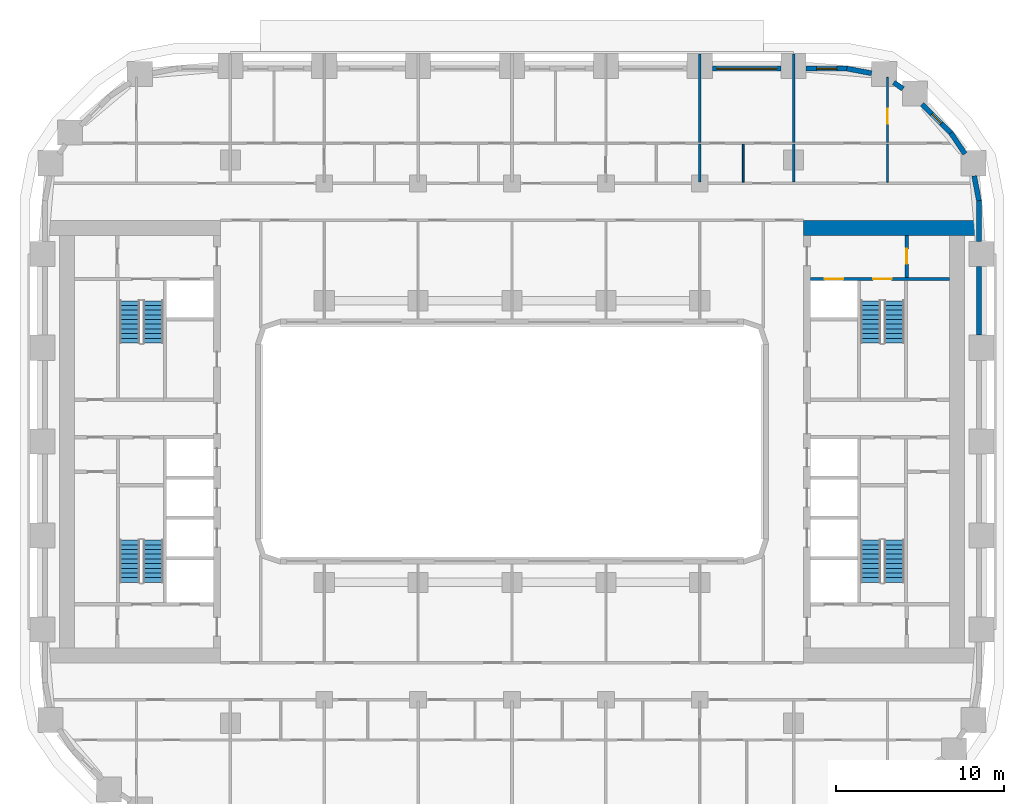
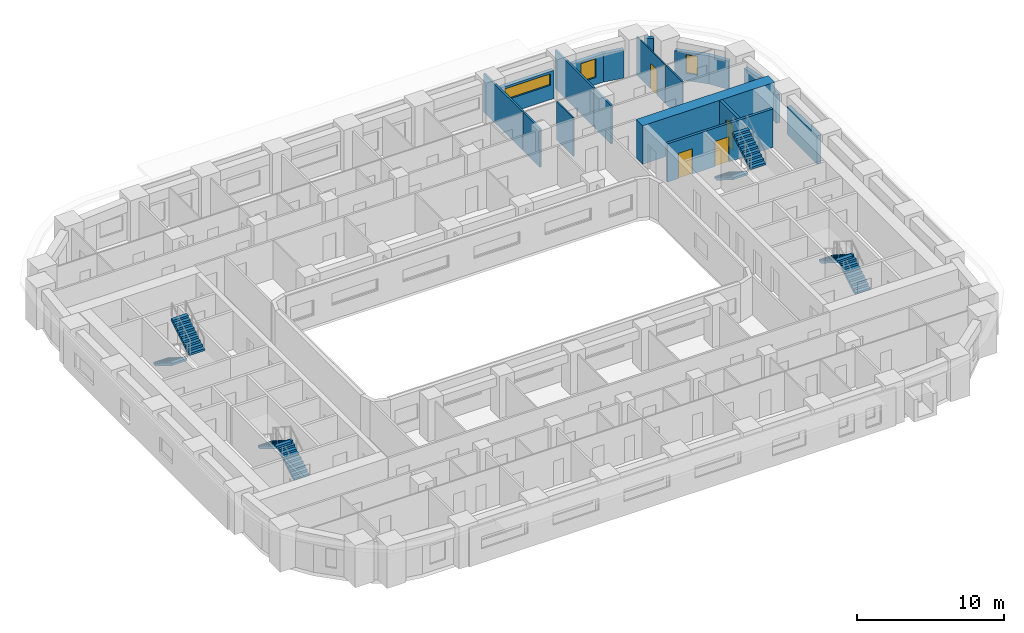
# One storey, part 9 of 21: 19 walls, 8 stair flights, 4 doors, 3 windows, 7 openings, 4 elements without a shape of their own.
"""IFC4 building model written with IfcOpenShell, lengths in metres."""

from ifc_helpers import new_model, si_unit, direction, frame, frame_2d, origin, place, context, subcontext, project, spatial, polyline, rectangle, outline, extrude, material, layer, layer_set, type_object, element, fill, aggregate, save


model = new_model("IFC4")

# Units and contexts
model_context = context("Model", 3, precision=1e-05, world=origin(), true_north=direction((0.0, 1.0)))
body_context = subcontext(model_context, "Body", "Model", "MODEL_VIEW")
ifc_project = project(units=[si_unit("LENGTHUNIT", "METRE"), si_unit("AREAUNIT", "SQUARE_METRE"), si_unit("VOLUMEUNIT", "CUBIC_METRE"), si_unit("PLANEANGLEUNIT", "RADIAN"), si_unit("MASSUNIT", "GRAM", prefix="KILO")], contexts=[model_context])

# Site, building, storey
site_placement = place(None, origin())
site = spatial("IfcSite", under=ifc_project, at=site_placement, CompositionType="ELEMENT")
building_placement = place(site_placement, origin())
building = spatial("IfcBuilding", under=site, at=building_placement, Name="Kiln Ring Residences", CompositionType="ELEMENT")
storey_placement = place(building_placement, frame((0.0, 0.0, 34.0)))
storey = spatial("IfcBuildingStorey", under=building, at=storey_placement, Name="L07", CompositionType="ELEMENT", Elevation=34.0)

# Wall, opening, door
ifc_material_1 = material(Name="Gypsum board on steel studs", Category="steel")
ifc_layer_1 = layer(ifc_material_1, 0.199951171875)
ifc_layer_set_1 = layer_set([ifc_layer_1], Name="CORE-PARTITION-200")
wall_type_1 = type_object("IfcWallType", Name="CORE-PARTITION-200", PredefinedType="PARTITIONING", material=ifc_layer_set_1)
wall_1_placement = place(storey_placement, frame((23.550048828125, 9.800048828125, 0.0), z_axis=(0.0, 0.0, 1.0), x_axis=(0.0, 1.0, 0.0)))
wall_1 = element("IfcWall", 1, at=wall_1_placement, inside=storey, type_object=wall_type_1, Name="Core partition east L07 3", PredefinedType="PARTITIONING", context=body_context, shape_type="SweptSolid", body=[
    extrude(rectangle(XDim=2.5, YDim=0.199951171875, at=frame_2d((1.25, 0.0))), origin(), (0.0, 0.0, 1.0), 3.199951171875),
])
opening_1_placement = place(wall_1_placement, frame((0.800048828125, 0.0, 0.0)))
opening_1 = element("IfcOpeningElement", 2, at=opening_1_placement, cuts=wall_1, Name="Opening L07-CE09", PredefinedType="OPENING", context=body_context, shape_type="SweptSolid", body=[
    extrude(rectangle(XDim=0.89990234375, YDim=2.10009765625, at=frame_2d((0.449951171875, 1.050048828125))), frame((0.0, 0.10986328125, 0.0), z_axis=(0.0, -1.0, 0.0), x_axis=(1.0, 0.0, 0.0)), (0.0, 0.0, 1.0), 0.219970703125),
])
ifc_material_2 = material(Name="Steel door leaf", Category="steel")
door_type_1 = type_object("IfcDoorType", Name="CORE-DOOR-ROOM", OperationType="SINGLE_SWING_LEFT", PredefinedType="DOOR", material=ifc_material_2)
door_1_placement = place(opening_1_placement, origin())
door_1 = element("IfcDoor", 3, at=door_1_placement, inside=storey, type_object=door_type_1, Name="Fire riser room L07-CE09", OperationType="SINGLE_SWING_RIGHT", OverallHeight=2.10009765625, OverallWidth=0.89990234375, PredefinedType="DOOR", context=body_context, shape_type="SweptSolid", body=[
    extrude(rectangle(XDim=0.89990234375, YDim=2.10009765625, at=frame_2d((0.449951171875, 1.050048828125))), frame((0.0, 0.02490234375, 0.0), z_axis=(0.0, -1.0, 0.0), x_axis=(1.0, 0.0, 0.0)), (0.0, 0.0, 1.0), 0.050048828125),
])
fill(opening_1, door_1)

# Wall, openings, doors
ifc_material_3 = material(Name="Concrete C40/50", Category="concrete")
ifc_layer_2 = layer(ifc_material_3, 0.199951171875)
ifc_layer_set_2 = layer_set([ifc_layer_2], Name="CORE-WALL-RC200")
wall_type_2 = type_object("IfcWallType", Name="CORE-WALL-RC200", PredefinedType="SHEAR", material=ifc_layer_set_2)
wall_2_placement = place(storey_placement, frame((17.800048828125, 9.699951171875, 0.0), z_axis=(0.0, 0.0, 1.0), x_axis=(1.0, 0.0, 0.0)))
wall_2 = element("IfcWall", 4, at=wall_2_placement, inside=storey, type_object=wall_type_2, Name="Core wall east L07 9", PredefinedType="SHEAR", context=body_context, shape_type="SweptSolid", body=[
    extrude(rectangle(XDim=8.300048828125, YDim=0.199951171875, at=frame_2d((4.14990234375, 0.0))), origin(), (0.0, 0.0, 1.0), 3.199951171875),
])
opening_2_placement = place(wall_2_placement, frame((0.85009765625, 0.0, 0.0)))
opening_2 = element("IfcOpeningElement", 5, at=opening_2_placement, cuts=wall_2, Name="Opening L07-CE06", PredefinedType="OPENING", context=body_context, shape_type="SweptSolid", body=[
    extrude(rectangle(XDim=1.10009765625, YDim=2.10009765625, at=frame_2d((0.550048828125, 1.050048828125))), frame((0.0, 0.10986328125, 0.0), z_axis=(0.0, -1.0, 0.0), x_axis=(1.0, 0.0, 0.0)), (0.0, 0.0, 1.0), 0.219970703125),
])
opening_3_placement = place(wall_2_placement, frame((3.75, 0.0, 0.0)))
opening_3 = element("IfcOpeningElement", 6, at=opening_3_placement, cuts=wall_2, Name="Opening L07-CE11", PredefinedType="OPENING", context=body_context, shape_type="SweptSolid", body=[
    extrude(rectangle(XDim=1.10009765625, YDim=2.10009765625, at=frame_2d((0.550048828125, 1.050048828125))), frame((0.0, 0.10986328125, 0.0), z_axis=(0.0, -1.0, 0.0), x_axis=(1.0, 0.0, 0.0)), (0.0, 0.0, 1.0), 0.219970703125),
])
ifc_material_4 = material(Name="Steel door leaf", Category="steel")
door_type_2 = type_object("IfcDoorType", Name="CORE-DOOR-LD", OperationType="DOUBLE_DOOR_SLIDING", PredefinedType="DOOR", material=ifc_material_4)
door_2_placement = place(opening_2_placement, origin())
door_2 = element("IfcDoor", 7, at=door_2_placement, inside=storey, type_object=door_type_2, Name="LD E-FF L07-CE06", OperationType="DOUBLE_DOOR_SLIDING", OverallHeight=2.10009765625, OverallWidth=1.10009765625, PredefinedType="DOOR", context=body_context, shape_type="SweptSolid", body=[
    extrude(rectangle(XDim=1.10009765625, YDim=2.10009765625, at=frame_2d((0.550048828125, 1.050048828125))), frame((0.0, 0.02490234375, 0.0), z_axis=(0.0, -1.0, 0.0), x_axis=(1.0, 0.0, 0.0)), (0.0, 0.0, 1.0), 0.050048828125),
])
fill(opening_2, door_2)
ifc_material_5 = material(Name="Steel door leaf", Category="steel")
door_type_3 = type_object("IfcDoorType", Name="CORE-DOOR-STAIR", OperationType="SINGLE_SWING_LEFT", PredefinedType="DOOR", material=ifc_material_5)
door_3_placement = place(opening_3_placement, origin())
door_3 = element("IfcDoor", 8, at=door_3_placement, inside=storey, type_object=door_type_3, Name="Stair E-STN L07-CE11", OperationType="SINGLE_SWING_RIGHT", OverallHeight=2.10009765625, OverallWidth=1.10009765625, PredefinedType="DOOR", context=body_context, shape_type="SweptSolid", body=[
    extrude(rectangle(XDim=1.10009765625, YDim=2.10009765625, at=frame_2d((0.550048828125, 1.050048828125))), frame((0.0, 0.02490234375, 0.0), z_axis=(0.0, -1.0, 0.0), x_axis=(1.0, 0.0, 0.0)), (0.0, 0.0, 1.0), 0.050048828125),
])
fill(opening_3, door_3)

# Walls
ifc_material_6 = material(Name="Concrete C60/75", Category="concrete")
ifc_layer_3 = layer(ifc_material_6, 0.89990234375)
ifc_layer_set_3 = layer_set([ifc_layer_3], Name="CORE-WALL-RC900")
wall_type_3 = type_object("IfcWallType", Name="CORE-WALL-RC900", PredefinedType="SHEAR", material=ifc_layer_set_3)
wall_3_placement = place(storey_placement, frame((17.39990234375, 12.75, 0.0), z_axis=(0.0, 0.0, 1.0), x_axis=(1.0, 0.0, 0.0)))
element("IfcWall", 9, at=wall_3_placement, inside=storey, type_object=wall_type_3, Name="Core wall east L07 4", PredefinedType="SHEAR", context=body_context, shape_type="SweptSolid", body=[
    extrude(rectangle(XDim=10.400146484375, YDim=0.89990234375, at=frame_2d((5.2001953125, 0.0))), origin(), (0.0, 0.0, 1.0), 3.199951171875),
])
ifc_material_7 = material(Name="Brick masonry, dark clay brick", Category="masonry")
ifc_layer_4 = layer(ifc_material_7, 0.300048828125)
ifc_layer_set_4 = layer_set([ifc_layer_4], Name="EW-300 BRICK WALL")
wall_type_4 = type_object("IfcWallType", Name="EW-300 BRICK WALL", PredefinedType="SOLIDWALL", material=ifc_layer_set_4)
wall_4_placement = place(storey_placement, frame((27.85009765625, 6.35009765625, 0.0), z_axis=(0.0, 0.0, 1.0), x_axis=(0.0, 1.0, 0.0)))
element("IfcWall", 10, at=wall_4_placement, inside=storey, type_object=wall_type_4, Name="Facade wall L07 21", PredefinedType="SOLIDWALL", context=body_context, shape_type="SweptSolid", body=[
    extrude(rectangle(XDim=4.099853515625, YDim=0.300048828125, at=frame_2d((2.0498046875, 0.0))), origin(), (0.0, 0.0, 1.0), 2.35009765625),
])
wall_5_placement = place(storey_placement, frame((27.85009765625, 11.949951171875, 0.0), z_axis=(0.0, 0.0, 1.0), x_axis=(0.0, 1.0, 0.0)))
element("IfcWall", 11, at=wall_5_placement, inside=storey, type_object=wall_type_4, Name="Facade wall L07 22", PredefinedType="SOLIDWALL", context=body_context, shape_type="SweptSolid", body=[
    extrude(rectangle(XDim=2.449951171875, YDim=0.300048828125, at=frame_2d((1.22509765625, 0.0))), origin(), (0.0, 0.0, 1.0), 2.35009765625),
])
for number, where, z_axis, x_axis, name in (
    (12, (27.8525390625, 14.371826171875, 0.0), (0.0, 0.0, 1.0), (-0.187223837635, 0.982317277982, 0.0), "Facade wall L07 23"),
    (13, (27.025390625, 17.1669921875, 0.0), (0.0, 0.0, 1.0), (-0.561973021955, 0.827155561303, 0.0), "Facade wall L07 24"),
):
    element("IfcWall", number, at=place(storey_placement, frame(where, z_axis=z_axis, x_axis=x_axis)), inside=storey, type_object=wall_type_4, Name=name, PredefinedType="SOLIDWALL", context=body_context, shape_type="SweptSolid", body=[
        extrude(rectangle(XDim=1.506103515625, YDim=0.300048828125, at=frame_2d((0.7529296875, 0.0))), origin(), (0.0, 0.0, 1.0), 2.35009765625),
    ])

# Wall, opening, window
wall_6_placement = place(storey_placement, frame((26.19677734375, 18.390869140625, 0.0), z_axis=(0.0, 0.0, 1.0), x_axis=(-0.707106781187, 0.707106781187, 0.0)))
wall_6 = element("IfcWall", 14, at=wall_6_placement, inside=storey, type_object=wall_type_4, Name="Facade wall L07 25", PredefinedType="SOLIDWALL", context=body_context, shape_type="SweptSolid", body=[
    extrude(rectangle(XDim=2.449951171875, YDim=0.300048828125, at=frame_2d((1.22509765625, 0.0))), origin(), (0.0, 0.0, 1.0), 2.35009765625),
])
opening_4_placement = place(wall_6_placement, frame((0.824951171875, 0.0, 0.60009765625)))
opening_4 = element("IfcOpeningElement", 15, at=opening_4_placement, cuts=wall_6, Name="Opening W5", PredefinedType="OPENING", context=body_context, shape_type="SweptSolid", body=[
    extrude(rectangle(XDim=0.800048828125, YDim=1.550048828125, at=frame_2d((0.39990234375, 0.77490234375))), frame((0.0, 0.159912109375, 0.0), z_axis=(0.0, -1.0, 0.0), x_axis=(1.0, 0.0, 0.0)), (0.0, 0.0, 1.0), 0.320068359375),
])
ifc_material_8 = material(Name="Aluminium frame with double glazing", Category="aluminium")
window_type_1 = type_object("IfcWindowType", Name="WINDOW 800 x 1550", PartitioningType="SINGLE_PANEL", PredefinedType="WINDOW", material=ifc_material_8)
window_1_placement = place(opening_4_placement, origin())
window_1 = element("IfcWindow", 16, at=window_1_placement, inside=storey, type_object=window_type_1, Name="Window L07 12", OverallHeight=1.550048828125, OverallWidth=0.800048828125, PartitioningType="SINGLE_PANEL", PredefinedType="WINDOW", context=body_context, shape_type="SweptSolid", body=[
    extrude(rectangle(XDim=0.800048828125, YDim=1.550048828125, at=frame_2d((0.39990234375, 0.77490234375))), frame((0.0, 0.030029296875, 0.0), z_axis=(0.0, -1.0, 0.0), x_axis=(1.0, 0.0, 0.0)), (0.0, 0.0, 1.0), 0.06005859375),
])
fill(opening_4, window_1)

# Walls
wall_7_placement = place(storey_placement, frame((23.3271484375, 21.044921875, 0.0), z_axis=(0.0, 0.0, 1.0), x_axis=(-0.827080706709, 0.562083182981, 0.0)))
element("IfcWall", 17, at=wall_7_placement, inside=storey, type_object=wall_type_4, Name="Facade wall L07 26", PredefinedType="SOLIDWALL", context=body_context, shape_type="SweptSolid", body=[
    extrude(rectangle(XDim=0.67724609375, YDim=0.300048828125, at=frame_2d((0.338623046875, 0.0))), origin(), (0.0, 0.0, 1.0), 3.199951171875),
])
wall_8_placement = place(storey_placement, frame((21.451416015625, 21.970458984375, 0.0), z_axis=(0.0, 0.0, 1.0), x_axis=(-0.982287454367, 0.187380247071, 0.0)))
element("IfcWall", 18, at=wall_8_placement, inside=storey, type_object=wall_type_4, Name="Facade wall L07 27", PredefinedType="SOLIDWALL", context=body_context, shape_type="SweptSolid", body=[
    extrude(rectangle(XDim=1.506103515625, YDim=0.300048828125, at=frame_2d((0.7529296875, 0.0))), origin(), (0.0, 0.0, 1.0), 2.35009765625),
])

# Wall, opening, window
wall_9_placement = place(storey_placement, frame((20.0, 22.25, 0.0), z_axis=(0.0, 0.0, 1.0), x_axis=(-1.0, 0.0, 0.0)))
wall_9 = element("IfcWall", 19, at=wall_9_placement, inside=storey, type_object=wall_type_4, Name="Facade wall L07 28", PredefinedType="SOLIDWALL", context=body_context, shape_type="SweptSolid", body=[
    extrude(rectangle(XDim=2.449951171875, YDim=0.300048828125, at=frame_2d((1.22509765625, 0.0))), origin(), (0.0, 0.0, 1.0), 2.35009765625),
])
opening_5_placement = place(wall_9_placement, frame((0.625, 0.0, 0.60009765625)))
opening_5 = element("IfcOpeningElement", 20, at=opening_5_placement, cuts=wall_9, Name="Opening W1", PredefinedType="OPENING", context=body_context, shape_type="SweptSolid", body=[
    extrude(rectangle(XDim=1.199951171875, YDim=1.550048828125, at=frame_2d((0.60009765625, 0.77490234375))), frame((0.0, 0.159912109375, 0.0), z_axis=(0.0, -1.0, 0.0), x_axis=(1.0, 0.0, 0.0)), (0.0, 0.0, 1.0), 0.320068359375),
])
ifc_material_9 = material(Name="Aluminium frame with double glazing", Category="aluminium")
window_type_2 = type_object("IfcWindowType", Name="WINDOW 1200 x 1550", PartitioningType="SINGLE_PANEL", PredefinedType="WINDOW", material=ifc_material_9)
window_2_placement = place(opening_5_placement, origin())
window_2 = element("IfcWindow", 21, at=window_2_placement, inside=storey, type_object=window_type_2, Name="Window L07 13", OverallHeight=1.550048828125, OverallWidth=1.199951171875, PartitioningType="SINGLE_PANEL", PredefinedType="WINDOW", context=body_context, shape_type="SweptSolid", body=[
    extrude(rectangle(XDim=1.199951171875, YDim=1.550048828125, at=frame_2d((0.60009765625, 0.77490234375))), frame((0.0, 0.030029296875, 0.0), z_axis=(0.0, -1.0, 0.0), x_axis=(1.0, 0.0, 0.0)), (0.0, 0.0, 1.0), 0.06005859375),
])
fill(opening_5, window_2)

wall_10_placement = place(storey_placement, frame((16.050048828125, 22.25, 0.0), z_axis=(0.0, 0.0, 1.0), x_axis=(-1.0, 0.0, 0.0)))
wall_10 = element("IfcWall", 22, at=wall_10_placement, inside=storey, type_object=wall_type_4, Name="Facade wall L07 29", PredefinedType="SOLIDWALL", context=body_context, shape_type="SweptSolid", body=[
    extrude(rectangle(XDim=4.10009765625, YDim=0.300048828125, at=frame_2d((2.050048828125, 0.0))), origin(), (0.0, 0.0, 1.0), 2.35009765625),
])
opening_6_placement = place(wall_10_placement, frame((0.25, 0.0, 1.199951171875)))
opening_6 = element("IfcOpeningElement", 23, at=opening_6_placement, cuts=wall_10, Name="Opening W4", PredefinedType="OPENING", context=body_context, shape_type="SweptSolid", body=[
    extrude(rectangle(XDim=3.60009765625, YDim=0.949951171875, at=frame_2d((1.800048828125, 0.47509765625))), frame((0.0, 0.159912109375, 0.0), z_axis=(0.0, -1.0, 0.0), x_axis=(1.0, 0.0, 0.0)), (0.0, 0.0, 1.0), 0.320068359375),
])
ifc_material_10 = material(Name="Aluminium frame with double glazing", Category="aluminium")
window_type_3 = type_object("IfcWindowType", Name="WINDOW 3600 x 950", PartitioningType="SINGLE_PANEL", PredefinedType="WINDOW", material=ifc_material_10)
window_3_placement = place(opening_6_placement, origin())
window_3 = element("IfcWindow", 24, at=window_3_placement, inside=storey, type_object=window_type_3, Name="Window L07 14", OverallHeight=0.949951171875, OverallWidth=3.60009765625, PartitioningType="SINGLE_PANEL", PredefinedType="WINDOW", context=body_context, shape_type="SweptSolid", body=[
    extrude(rectangle(XDim=3.60009765625, YDim=0.949951171875, at=frame_2d((1.800048828125, 0.47509765625))), frame((0.0, 0.030029296875, 0.0), z_axis=(0.0, -1.0, 0.0), x_axis=(1.0, 0.0, 0.0)), (0.0, 0.0, 1.0), 0.06005859375),
])
fill(opening_6, window_3)

# Walls
ifc_material_11 = material(Name="Gypsum board on steel studs", Category="steel")
ifc_layer_5 = layer(ifc_material_11, 0.10009765625)
ifc_layer_set_5 = layer_set([ifc_layer_5], Name="PARTITION-100")
wall_type_5 = type_object("IfcWallType", Name="PARTITION-100", PredefinedType="PARTITIONING", material=ifc_layer_set_5)
for number, where, z_axis, x_axis, name in (
    (25, (13.800048828125, 15.47509765625, 0.0), (0.0, 0.0, 1.0), (0.0, 1.0, 0.0), "Partition 056"),
    (26, (22.39990234375, 15.47509765625, 0.0), (0.0, 0.0, 1.0), (0.0, 1.0, 0.0), "Partition 066"),
):
    element("IfcWall", number, at=place(storey_placement, frame(where, z_axis=z_axis, x_axis=x_axis)), inside=storey, type_object=wall_type_5, Name=name, PredefinedType="PARTITIONING", context=body_context, shape_type="SweptSolid", body=[
        extrude(rectangle(XDim=2.27490234375, YDim=0.10009765625, at=frame_2d((1.137451171875, 0.0))), origin(), (0.0, 0.0, 1.0), 3.199951171875),
    ])

# Wall, opening, door
wall_11_placement = place(storey_placement, frame((22.39990234375, 17.85009765625, 0.0), z_axis=(0.0, 0.0, 1.0), x_axis=(0.0, 1.0, 0.0)))
wall_11 = element("IfcWall", 27, at=wall_11_placement, inside=storey, type_object=wall_type_5, Name="Partition 067", PredefinedType="PARTITIONING", context=body_context, shape_type="SweptSolid", body=[
    extrude(rectangle(XDim=3.869873046875, YDim=0.10009765625, at=frame_2d((1.93505859375, 0.0))), origin(), (0.0, 0.0, 1.0), 3.199951171875),
])
opening_7_placement = place(wall_11_placement, frame((1.10009765625, 0.0, 0.0)))
opening_7 = element("IfcOpeningElement", 28, at=opening_7_placement, cuts=wall_11, Name="Opening L07-D036", PredefinedType="OPENING", context=body_context, shape_type="SweptSolid", body=[
    extrude(rectangle(XDim=0.89990234375, YDim=2.10009765625, at=frame_2d((0.449951171875, 1.050048828125))), frame((0.0, 0.06005859375, 0.0), z_axis=(0.0, -1.0, 0.0), x_axis=(1.0, 0.0, 0.0)), (0.0, 0.0, 1.0), 0.1201171875),
])
ifc_material_12 = material(Name="Timber door leaf", Category="wood")
door_type_4 = type_object("IfcDoorType", Name="FLAT-DOOR-900-PL", OperationType="SINGLE_SWING_LEFT", PredefinedType="DOOR", material=ifc_material_12)
door_4_placement = place(opening_7_placement, origin())
door_4 = element("IfcDoor", 29, at=door_4_placement, inside=storey, type_object=door_type_4, Name="Door L07-D036", OperationType="SINGLE_SWING_LEFT", OverallHeight=2.10009765625, OverallWidth=0.89990234375, PredefinedType="DOOR", context=body_context, shape_type="SweptSolid", body=[
    extrude(rectangle(XDim=0.89990234375, YDim=2.10009765625, at=frame_2d((0.449951171875, 1.050048828125))), frame((0.0, 0.02490234375, 0.0), z_axis=(0.0, -1.0, 0.0), x_axis=(1.0, 0.0, 0.0)), (0.0, 0.0, 1.0), 0.050048828125),
])
fill(opening_7, door_4)

# Walls
ifc_material_13 = material(Name="Brick masonry partition", Category="masonry")
ifc_layer_6 = layer(ifc_material_13, 0.14990234375)
ifc_layer_set_6 = layer_set([ifc_layer_6], Name="PARTITION-150-ei60")
wall_type_6 = type_object("IfcWallType", Name="PARTITION-150-ei60", PredefinedType="PARTITIONING", material=ifc_layer_set_6)
wall_12_placement = place(storey_placement, frame((11.199951171875, 15.47509765625, 0.0), z_axis=(0.0, 0.0, 1.0), x_axis=(0.0, 1.0, 0.0)))
element("IfcWall", 30, at=wall_12_placement, inside=storey, type_object=wall_type_6, Name="Partition 054", PredefinedType="PARTITIONING", context=body_context, shape_type="SweptSolid", body=[
    extrude(rectangle(XDim=2.27490234375, YDim=0.14990234375, at=frame_2d((1.137451171875, 0.0))), origin(), (0.0, 0.0, 1.0), 3.199951171875),
])
wall_13_placement = place(storey_placement, frame((11.199951171875, 17.85009765625, 0.0), z_axis=(0.0, 0.0, 1.0), x_axis=(0.0, 1.0, 0.0)))
element("IfcWall", 31, at=wall_13_placement, inside=storey, type_object=wall_type_6, Name="Partition 055", PredefinedType="PARTITIONING", context=body_context, shape_type="SweptSolid", body=[
    extrude(rectangle(XDim=5.27978515625, YDim=0.14990234375, at=frame_2d((2.639892578125, 0.0))), origin(), (0.0, 0.0, 1.0), 3.199951171875),
])
wall_14_placement = place(storey_placement, frame((16.800048828125, 15.47509765625, 0.0), z_axis=(0.0, 0.0, 1.0), x_axis=(0.0, 1.0, 0.0)))
element("IfcWall", 32, at=wall_14_placement, inside=storey, type_object=wall_type_6, Name="Partition 062", PredefinedType="PARTITIONING", context=body_context, shape_type="SweptSolid", body=[
    extrude(rectangle(XDim=2.27490234375, YDim=0.14990234375, at=frame_2d((1.137451171875, 0.0))), origin(), (0.0, 0.0, 1.0), 3.199951171875),
])
wall_15_placement = place(storey_placement, frame((16.800048828125, 17.85009765625, 0.0), z_axis=(0.0, 0.0, 1.0), x_axis=(0.0, 1.0, 0.0)))
element("IfcWall", 33, at=wall_15_placement, inside=storey, type_object=wall_type_6, Name="Partition 063", PredefinedType="PARTITIONING", context=body_context, shape_type="SweptSolid", body=[
    extrude(rectangle(XDim=5.27978515625, YDim=0.14990234375, at=frame_2d((2.639892578125, 0.0))), origin(), (0.0, 0.0, 1.0), 3.199951171875),
])

# Stair, stair flights
ifc_material_14 = material(Name="Concrete C40/50", Category="concrete")
stair_type = type_object("IfcStairType", Name="CORE-STAIR", PredefinedType="HALF_TURN_STAIR", material=ifc_material_14)
placement = place(storey_placement, origin())
stair_1 = element("IfcStair", 34, at=placement, inside=storey, type_object=stair_type, Name="L07 stair W-STN", PredefinedType="HALF_TURN_STAIR")
ifc_material_15 = material(Name="Concrete C40/50", Category="concrete")
stair_flight_type = type_object("IfcStairFlightType", Name="CORE-STAIR-FLIGHT", PredefinedType="STRAIGHT", material=ifc_material_15)
stair_flight_1_placement = place(storey_placement, frame((-22.800048828125, 8.39990234375, 0.0), z_axis=(0.0, 0.0, 1.0), x_axis=(0.0, -1.0, 0.0)))
stair_flight_1 = element("IfcStairFlight", 35, at=stair_flight_1_placement, type_object=stair_flight_type, Name="W-STN flight 1", NumberOfRisers=10, NumberOfTreads=9, PredefinedType="STRAIGHT", RiserHeight=0.175, TreadLength=0.28, context=body_context, shape_type="SweptSolid", body=[
    extrude(outline(polyline([(0.0, 0.0), (0.0, 0.175048828125), (0.280029296875, 0.175048828125), (0.280029296875, 0.35009765625), (0.56005859375, 0.35009765625), (0.56005859375, 0.52490234375), (0.840087890625, 0.52490234375), (0.840087890625, 0.699951171875), (1.1201171875, 0.699951171875), (1.1201171875, 0.875), (1.39990234375, 0.875), (1.39990234375, 1.050048828125), (1.679931640625, 1.050048828125), (1.679931640625, 1.22509765625), (1.9599609375, 1.22509765625), (1.9599609375, 1.39990234375), (2.239990234375, 1.39990234375), (2.239990234375, 1.574951171875), (2.52001953125, 1.574951171875), (2.52001953125, 1.75), (2.52001953125, 1.398193359375), (0.28271484375, 0.0), (0.0, 0.0)])), frame((0.0, 0.60009765625, 0.0), z_axis=(0.0, -1.0, 0.0), x_axis=(1.0, 0.0, 0.0)), (0.0, 0.0, 1.0), 1.199951171875),
])
stair_flight_2_placement = place(storey_placement, frame((-21.39990234375, 5.8798828125, 1.75), z_axis=(0.0, 0.0, 1.0), x_axis=(0.0, 1.0, 0.0)))
stair_flight_2 = element("IfcStairFlight", 36, at=stair_flight_2_placement, type_object=stair_flight_type, Name="W-STN flight 2", NumberOfRisers=10, NumberOfTreads=9, PredefinedType="STRAIGHT", RiserHeight=0.175, TreadLength=0.28, context=body_context, shape_type="SweptSolid", body=[
    extrude(outline(polyline([(0.0, 0.0), (0.0, 0.175048828125), (0.280029296875, 0.175048828125), (0.280029296875, 0.35009765625), (0.56005859375, 0.35009765625), (0.56005859375, 0.52490234375), (0.840087890625, 0.52490234375), (0.840087890625, 0.699951171875), (1.1201171875, 0.699951171875), (1.1201171875, 0.875), (1.39990234375, 0.875), (1.39990234375, 1.050048828125), (1.679931640625, 1.050048828125), (1.679931640625, 1.22509765625), (1.9599609375, 1.22509765625), (1.9599609375, 1.39990234375), (2.239990234375, 1.39990234375), (2.239990234375, 1.574951171875), (2.52001953125, 1.574951171875), (2.52001953125, 1.75), (2.52001953125, 1.398193359375), (0.28271484375, 0.0), (0.0, 0.0)])), frame((0.0, 0.60009765625, 0.0), z_axis=(0.0, -1.0, 0.0), x_axis=(1.0, 0.0, 0.0)), (0.0, 0.0, 1.0), 1.199951171875),
])
aggregate(stair_1, [stair_flight_1, stair_flight_2])

stair_2 = element("IfcStair", 37, at=placement, inside=storey, type_object=stair_type, Name="L07 stair W-STS", PredefinedType="HALF_TURN_STAIR")
stair_flight_3_placement = place(storey_placement, frame((-21.39990234375, -8.39990234375, 0.0), z_axis=(0.0, 0.0, 1.0), x_axis=(0.0, 1.0, 0.0)))
stair_flight_3 = element("IfcStairFlight", 38, at=stair_flight_3_placement, type_object=stair_flight_type, Name="W-STS flight 1", NumberOfRisers=10, NumberOfTreads=9, PredefinedType="STRAIGHT", RiserHeight=0.175, TreadLength=0.28, context=body_context, shape_type="SweptSolid", body=[
    extrude(outline(polyline([(0.0, 0.0), (0.0, 0.175048828125), (0.280029296875, 0.175048828125), (0.280029296875, 0.35009765625), (0.56005859375, 0.35009765625), (0.56005859375, 0.52490234375), (0.840087890625, 0.52490234375), (0.840087890625, 0.699951171875), (1.1201171875, 0.699951171875), (1.1201171875, 0.875), (1.39990234375, 0.875), (1.39990234375, 1.050048828125), (1.679931640625, 1.050048828125), (1.679931640625, 1.22509765625), (1.9599609375, 1.22509765625), (1.9599609375, 1.39990234375), (2.239990234375, 1.39990234375), (2.239990234375, 1.574951171875), (2.52001953125, 1.574951171875), (2.52001953125, 1.75), (2.52001953125, 1.398193359375), (0.28271484375, 0.0), (0.0, 0.0)])), frame((0.0, 0.60009765625, 0.0), z_axis=(0.0, -1.0, 0.0), x_axis=(1.0, 0.0, 0.0)), (0.0, 0.0, 1.0), 1.199951171875),
])
stair_flight_4_placement = place(storey_placement, frame((-22.800048828125, -5.8798828125, 1.75), z_axis=(0.0, 0.0, 1.0), x_axis=(0.0, -1.0, 0.0)))
stair_flight_4 = element("IfcStairFlight", 39, at=stair_flight_4_placement, type_object=stair_flight_type, Name="W-STS flight 2", NumberOfRisers=10, NumberOfTreads=9, PredefinedType="STRAIGHT", RiserHeight=0.175, TreadLength=0.28, context=body_context, shape_type="SweptSolid", body=[
    extrude(outline(polyline([(0.0, 0.0), (0.0, 0.175048828125), (0.280029296875, 0.175048828125), (0.280029296875, 0.35009765625), (0.56005859375, 0.35009765625), (0.56005859375, 0.52490234375), (0.840087890625, 0.52490234375), (0.840087890625, 0.699951171875), (1.1201171875, 0.699951171875), (1.1201171875, 0.875), (1.39990234375, 0.875), (1.39990234375, 1.050048828125), (1.679931640625, 1.050048828125), (1.679931640625, 1.22509765625), (1.9599609375, 1.22509765625), (1.9599609375, 1.39990234375), (2.239990234375, 1.39990234375), (2.239990234375, 1.574951171875), (2.52001953125, 1.574951171875), (2.52001953125, 1.75), (2.52001953125, 1.398193359375), (0.28271484375, 0.0), (0.0, 0.0)])), frame((0.0, 0.60009765625, 0.0), z_axis=(0.0, -1.0, 0.0), x_axis=(1.0, 0.0, 0.0)), (0.0, 0.0, 1.0), 1.199951171875),
])
aggregate(stair_2, [stair_flight_3, stair_flight_4])

stair_3 = element("IfcStair", 40, at=placement, inside=storey, type_object=stair_type, Name="L07 stair E-STN", PredefinedType="HALF_TURN_STAIR")
stair_flight_5_placement = place(storey_placement, frame((21.39990234375, 8.39990234375, 0.0), z_axis=(0.0, 0.0, 1.0), x_axis=(0.0, -1.0, 0.0)))
stair_flight_5 = element("IfcStairFlight", 41, at=stair_flight_5_placement, type_object=stair_flight_type, Name="E-STN flight 1", NumberOfRisers=10, NumberOfTreads=9, PredefinedType="STRAIGHT", RiserHeight=0.175, TreadLength=0.28, context=body_context, shape_type="SweptSolid", body=[
    extrude(outline(polyline([(0.0, 0.0), (0.0, 0.175048828125), (0.280029296875, 0.175048828125), (0.280029296875, 0.35009765625), (0.56005859375, 0.35009765625), (0.56005859375, 0.52490234375), (0.840087890625, 0.52490234375), (0.840087890625, 0.699951171875), (1.1201171875, 0.699951171875), (1.1201171875, 0.875), (1.39990234375, 0.875), (1.39990234375, 1.050048828125), (1.679931640625, 1.050048828125), (1.679931640625, 1.22509765625), (1.9599609375, 1.22509765625), (1.9599609375, 1.39990234375), (2.239990234375, 1.39990234375), (2.239990234375, 1.574951171875), (2.52001953125, 1.574951171875), (2.52001953125, 1.75), (2.52001953125, 1.398193359375), (0.28271484375, 0.0), (0.0, 0.0)])), frame((0.0, 0.60009765625, 0.0), z_axis=(0.0, -1.0, 0.0), x_axis=(1.0, 0.0, 0.0)), (0.0, 0.0, 1.0), 1.199951171875),
])
stair_flight_6_placement = place(storey_placement, frame((22.800048828125, 5.8798828125, 1.75), z_axis=(0.0, 0.0, 1.0), x_axis=(0.0, 1.0, 0.0)))
stair_flight_6 = element("IfcStairFlight", 42, at=stair_flight_6_placement, type_object=stair_flight_type, Name="E-STN flight 2", NumberOfRisers=10, NumberOfTreads=9, PredefinedType="STRAIGHT", RiserHeight=0.175, TreadLength=0.28, context=body_context, shape_type="SweptSolid", body=[
    extrude(outline(polyline([(0.0, 0.0), (0.0, 0.175048828125), (0.280029296875, 0.175048828125), (0.280029296875, 0.35009765625), (0.56005859375, 0.35009765625), (0.56005859375, 0.52490234375), (0.840087890625, 0.52490234375), (0.840087890625, 0.699951171875), (1.1201171875, 0.699951171875), (1.1201171875, 0.875), (1.39990234375, 0.875), (1.39990234375, 1.050048828125), (1.679931640625, 1.050048828125), (1.679931640625, 1.22509765625), (1.9599609375, 1.22509765625), (1.9599609375, 1.39990234375), (2.239990234375, 1.39990234375), (2.239990234375, 1.574951171875), (2.52001953125, 1.574951171875), (2.52001953125, 1.75), (2.52001953125, 1.398193359375), (0.28271484375, 0.0), (0.0, 0.0)])), frame((0.0, 0.60009765625, 0.0), z_axis=(0.0, -1.0, 0.0), x_axis=(1.0, 0.0, 0.0)), (0.0, 0.0, 1.0), 1.199951171875),
])
aggregate(stair_3, [stair_flight_5, stair_flight_6])

stair_4 = element("IfcStair", 43, at=placement, inside=storey, type_object=stair_type, Name="L07 stair E-STS", PredefinedType="HALF_TURN_STAIR")
stair_flight_7_placement = place(storey_placement, frame((22.800048828125, -8.39990234375, 0.0), z_axis=(0.0, 0.0, 1.0), x_axis=(0.0, 1.0, 0.0)))
stair_flight_7 = element("IfcStairFlight", 44, at=stair_flight_7_placement, type_object=stair_flight_type, Name="E-STS flight 1", NumberOfRisers=10, NumberOfTreads=9, PredefinedType="STRAIGHT", RiserHeight=0.175, TreadLength=0.28, context=body_context, shape_type="SweptSolid", body=[
    extrude(outline(polyline([(0.0, 0.0), (0.0, 0.175048828125), (0.280029296875, 0.175048828125), (0.280029296875, 0.35009765625), (0.56005859375, 0.35009765625), (0.56005859375, 0.52490234375), (0.840087890625, 0.52490234375), (0.840087890625, 0.699951171875), (1.1201171875, 0.699951171875), (1.1201171875, 0.875), (1.39990234375, 0.875), (1.39990234375, 1.050048828125), (1.679931640625, 1.050048828125), (1.679931640625, 1.22509765625), (1.9599609375, 1.22509765625), (1.9599609375, 1.39990234375), (2.239990234375, 1.39990234375), (2.239990234375, 1.574951171875), (2.52001953125, 1.574951171875), (2.52001953125, 1.75), (2.52001953125, 1.398193359375), (0.28271484375, 0.0), (0.0, 0.0)])), frame((0.0, 0.60009765625, 0.0), z_axis=(0.0, -1.0, 0.0), x_axis=(1.0, 0.0, 0.0)), (0.0, 0.0, 1.0), 1.199951171875),
])
stair_flight_8_placement = place(storey_placement, frame((21.39990234375, -5.8798828125, 1.75), z_axis=(0.0, 0.0, 1.0), x_axis=(0.0, -1.0, 0.0)))
stair_flight_8 = element("IfcStairFlight", 45, at=stair_flight_8_placement, type_object=stair_flight_type, Name="E-STS flight 2", NumberOfRisers=10, NumberOfTreads=9, PredefinedType="STRAIGHT", RiserHeight=0.175, TreadLength=0.28, context=body_context, shape_type="SweptSolid", body=[
    extrude(outline(polyline([(0.0, 0.0), (0.0, 0.175048828125), (0.280029296875, 0.175048828125), (0.280029296875, 0.35009765625), (0.56005859375, 0.35009765625), (0.56005859375, 0.52490234375), (0.840087890625, 0.52490234375), (0.840087890625, 0.699951171875), (1.1201171875, 0.699951171875), (1.1201171875, 0.875), (1.39990234375, 0.875), (1.39990234375, 1.050048828125), (1.679931640625, 1.050048828125), (1.679931640625, 1.22509765625), (1.9599609375, 1.22509765625), (1.9599609375, 1.39990234375), (2.239990234375, 1.39990234375), (2.239990234375, 1.574951171875), (2.52001953125, 1.574951171875), (2.52001953125, 1.75), (2.52001953125, 1.398193359375), (0.28271484375, 0.0), (0.0, 0.0)])), frame((0.0, 0.60009765625, 0.0), z_axis=(0.0, -1.0, 0.0), x_axis=(1.0, 0.0, 0.0)), (0.0, 0.0, 1.0), 1.199951171875),
])
aggregate(stair_4, [stair_flight_7, stair_flight_8])

save(model, "model.ifc")
